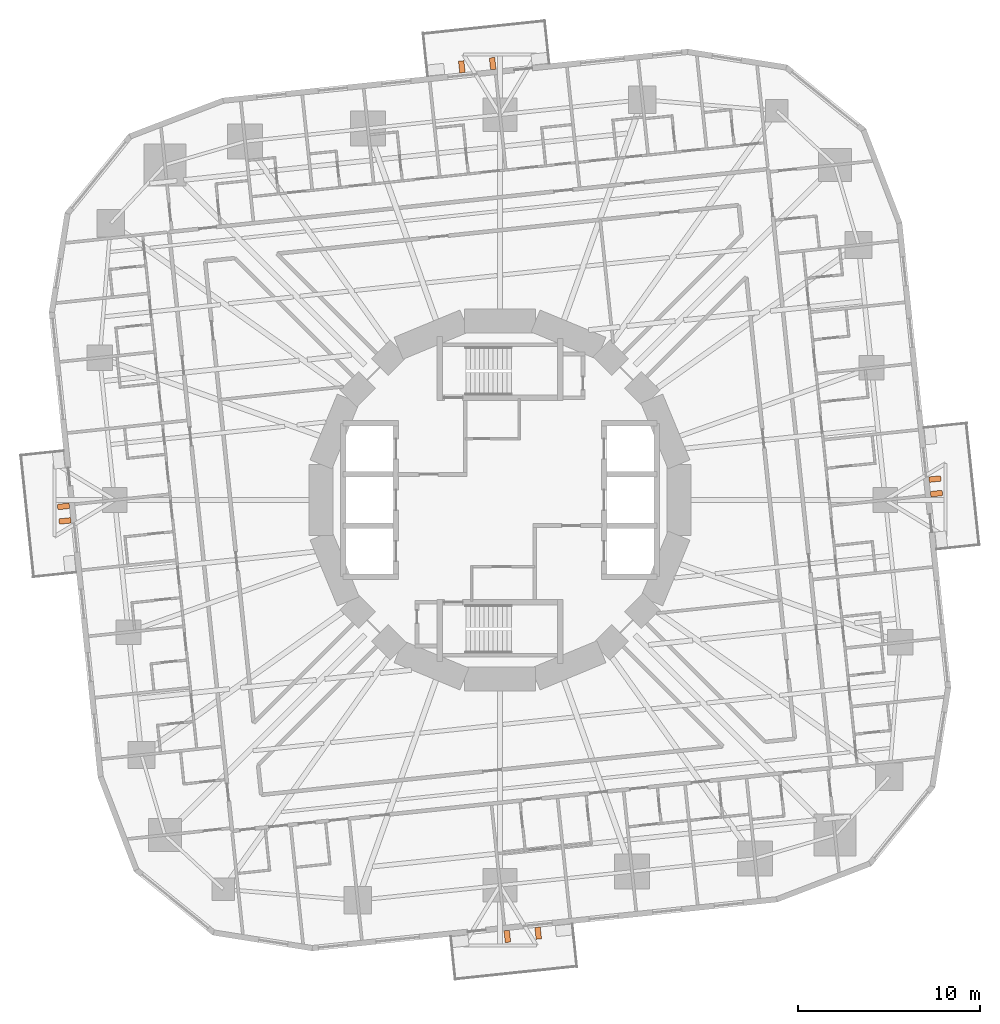
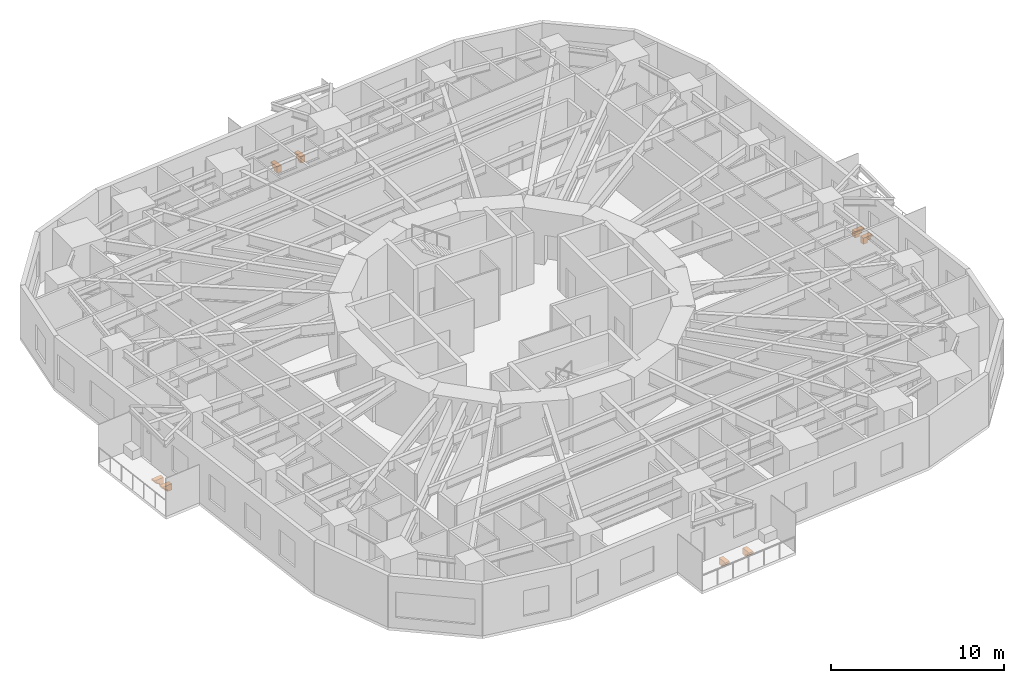
# One storey, part 15 of 15: 8 proxies.
"""IFC4 building model written with IfcOpenShell, lengths in metres."""

from ifc_helpers import new_model, si_unit, direction, frame, origin, place, context, subcontext, project, spatial, polyline, outline, extrude, material, type_object, element, save


model = new_model("IFC4")

# Units and contexts
model_context = context("Model", 3, precision=1e-05, world=origin(), true_north=direction((0.0, 1.0)))
body_context = subcontext(model_context, "Body", "Model", "MODEL_VIEW")
ifc_project = project(units=[si_unit("LENGTHUNIT", "METRE"), si_unit("AREAUNIT", "SQUARE_METRE"), si_unit("VOLUMEUNIT", "CUBIC_METRE"), si_unit("PLANEANGLEUNIT", "RADIAN"), si_unit("MASSUNIT", "GRAM", prefix="KILO")], contexts=[model_context])

# Site, building, storey
site_placement = place(None, origin())
site = spatial("IfcSite", under=ifc_project, at=site_placement, CompositionType="ELEMENT")
building_placement = place(site_placement, origin())
building = spatial("IfcBuilding", under=site, at=building_placement, Name="Nakasero Lantern House", CompositionType="ELEMENT")
storey_placement = place(building_placement, frame((0.0, 0.0, 72.050048828125)))
storey = spatial("IfcBuildingStorey", under=building, at=storey_placement, Name="L17", CompositionType="ELEMENT", Elevation=72.050048828125)

# Proxies
ifc_material = material(Name="Concrete C40/50 precast", Category="concrete")
building_element_proxy_type = type_object("IfcBuildingElementProxyType", Name="Balcony bracket 300", PredefinedType="USERDEFINED", material=ifc_material)
for number, where, z_axis, x_axis, name in (
    (1, (23.595947265625, 0.318115234375, -0.199951171875), (0.0, 0.0, 1.0), (0.994521895, 0.104528463, 0.0), "Balcony bracket L17 0A"),
    (2, (23.512451171875, 1.11376953125, -0.199951171875), (0.0, 0.0, 1.0), (0.994521895, 0.104528463, 0.0), "Balcony bracket L17 0B"),
    (3, (-0.367919921875, 23.5908203125, -0.199951171875), (0.0, 0.0, 1.0), (-0.104528463, 0.994521895, 0.0), "Balcony bracket L17 1A"),
    (4, (-2.05859375, 23.4130859375, -0.199951171875), (0.0, 0.0, 1.0), (-0.104528463, 0.994521895, 0.0), "Balcony bracket L17 1B"),
    (5, (-23.595947265625, -0.318115234375, -0.199951171875), (0.0, 0.0, 1.0), (-0.994521895, -0.104528463, 0.0), "Balcony bracket L17 2A"),
    (6, (-23.512451171875, -1.11376953125, -0.199951171875), (0.0, 0.0, 1.0), (-0.994521895, -0.104528463, 0.0), "Balcony bracket L17 2B"),
    (7, (0.367919921875, -23.5908203125, -0.199951171875), (0.0, 0.0, 1.0), (0.104528463, -0.994521895, 0.0), "Balcony bracket L17 3A"),
    (8, (2.05859375, -23.4130859375, -0.199951171875), (0.0, 0.0, 1.0), (0.104528463, -0.994521895, 0.0), "Balcony bracket L17 3B"),
):
    element("IfcBuildingElementProxy", number, at=place(storey_placement, frame(where, z_axis=z_axis, x_axis=x_axis)), inside=storey, type_object=building_element_proxy_type, Name=name, ObjectType="BALCONY BRACKET", PredefinedType="USERDEFINED", context=body_context, shape_type="SweptSolid", body=[
        extrude(outline(polyline([(0.0, 0.0), (0.64990234375, 0.0), (0.64990234375, -0.1201171875), (0.5, -0.1201171875), (0.5, -0.280029296875), (0.300048828125, -0.280029296875), (0.300048828125, -0.43994140625), (0.0, -0.43994140625), (0.0, 0.0)])), frame((0.0, 0.14990234375, 0.0), z_axis=(0.0, -1.0, 0.0), x_axis=(1.0, 0.0, 0.0)), (0.0, 0.0, 1.0), 0.300048828125),
    ])

save(model, "model.ifc")
